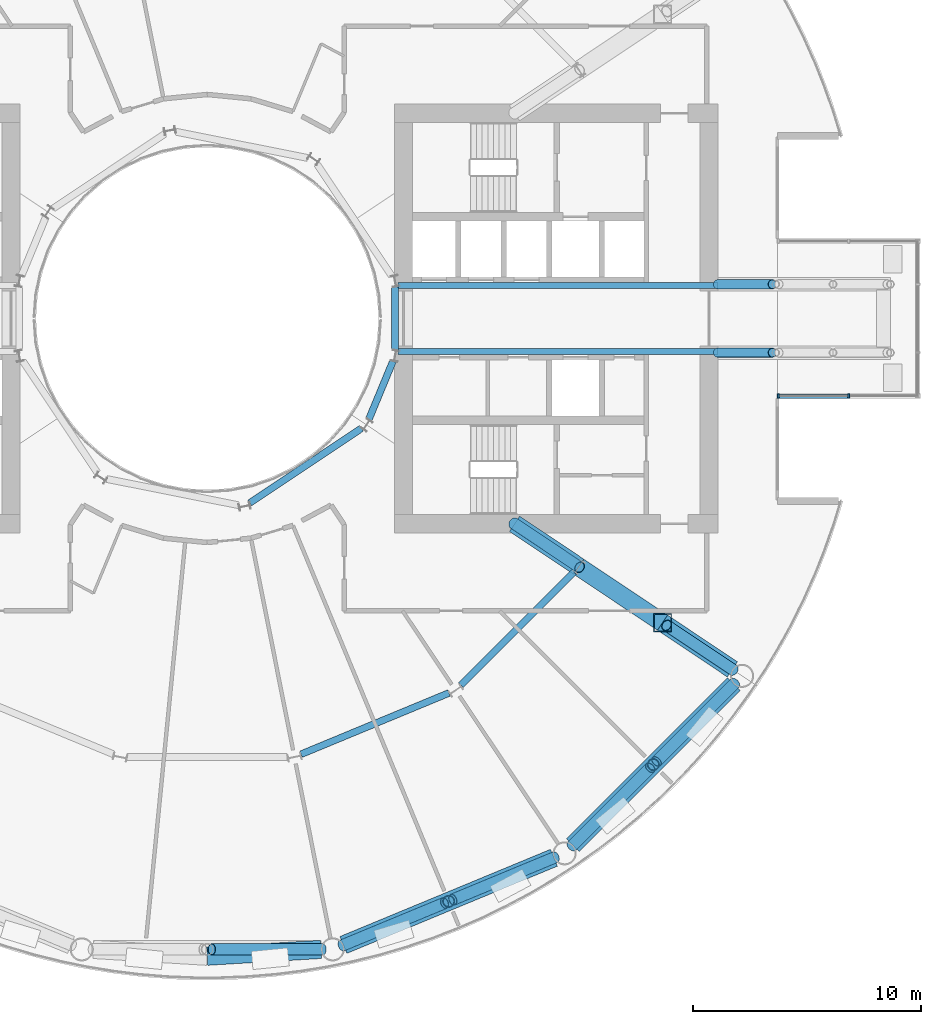
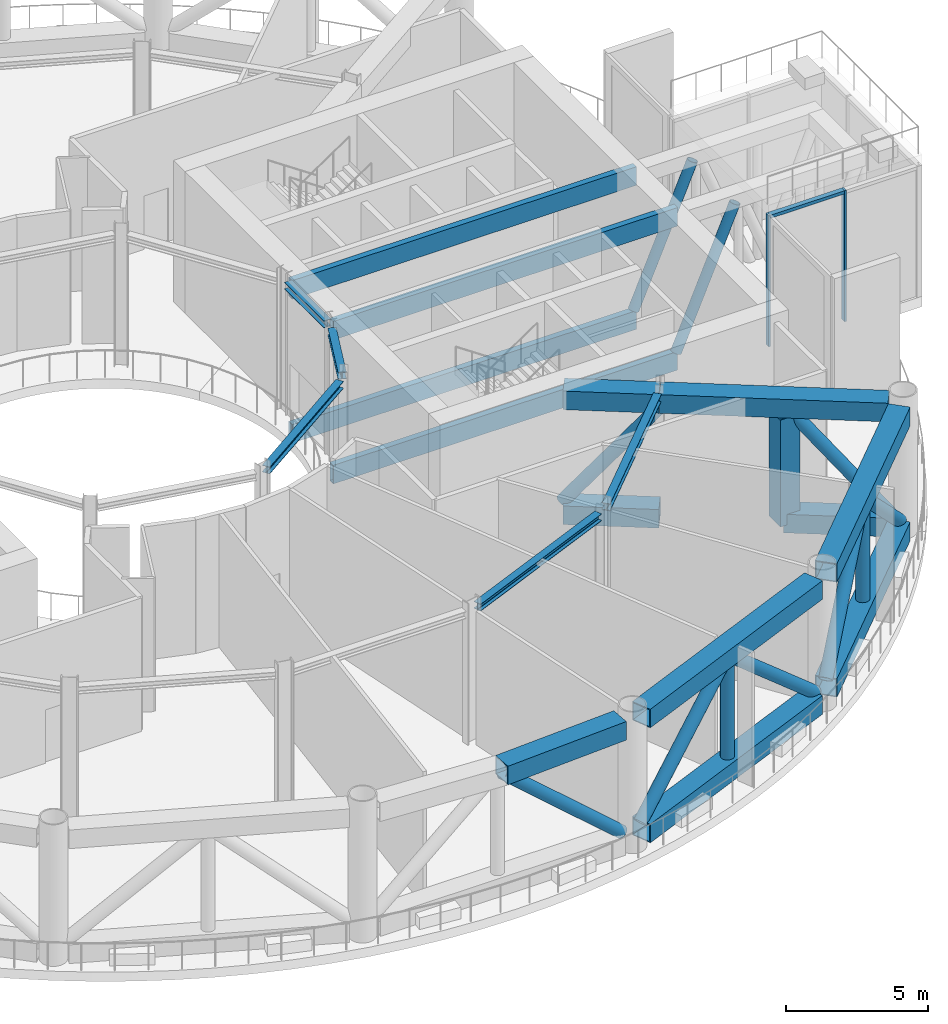
# One storey, part 6 of 22: 18 beams, 15 members, 1 element without a shape of its own.
"""IFC4 building model written with IfcOpenShell, lengths in metres."""

from ifc_helpers import new_model, si_unit, direction, frame, origin, origin_2d, place, context, subcontext, project, spatial, rectangle, hollow_rectangle, hollow_circle, i_section, extrude, material, layer, layer_set, material_profile, profile_set, type_object, element, aggregate, save


model = new_model("IFC4")

# Units and contexts
model_context = context("Model", 3, precision=1e-05, world=origin(), true_north=direction((0.0, 1.0)))
body_context = subcontext(model_context, "Body", "Model", "MODEL_VIEW")
ifc_project = project(units=[si_unit("LENGTHUNIT", "METRE"), si_unit("AREAUNIT", "SQUARE_METRE"), si_unit("VOLUMEUNIT", "CUBIC_METRE"), si_unit("PLANEANGLEUNIT", "RADIAN"), si_unit("MASSUNIT", "GRAM", prefix="KILO")], contexts=[model_context])

# Site, building, storey
site_placement = place(None, origin())
site = spatial("IfcSite", under=ifc_project, at=site_placement, CompositionType="ELEMENT")
building_placement = place(site_placement, origin())
building = spatial("IfcBuilding", under=site, at=building_placement, Name="Maasbend Ring Residences", CompositionType="ELEMENT")
storey_placement = place(building_placement, frame((0.0, 0.0, 57.5)))
storey = spatial("IfcBuildingStorey", under=building, at=storey_placement, Name="L16", CompositionType="ELEMENT", Elevation=57.5)

# Beams
ifc_material_1 = material(Name="Steel S460M", Category="steel")
ifc_material_profile_1 = material_profile(ifc_material_1, hollow_rectangle(XDim=0.800048828125, YDim=0.800048828125, WallThickness=0.0400390625, at=origin_2d()), Name="Belt truss chord BX 800x800x40")
ifc_profile_set_1 = profile_set([ifc_material_profile_1], Name="Steel S460M")
beam_type_1 = type_object("IfcBeamType", Name="Belt truss chord BX 800x800x40", PredefinedType="BEAM", material=ifc_profile_set_1)
beam_1_placement = place(storey_placement, frame((0.0, -27.9580078125, 5.35009765625), z_axis=(0.998202452092, 0.059932166976, 0.0), x_axis=(-0.059932166976, 0.998202452092, 0.0)))
element("IfcBeam", 1, at=beam_1_placement, inside=storey, type_object=beam_type_1, Name="Belt truss", PredefinedType="BEAM", context=body_context, shape_type="SweptSolid", body=[
    extrude(hollow_rectangle(XDim=0.800048828125, YDim=0.800048828125, WallThickness=0.0400390625, at=origin_2d()), origin(), (0.0, 0.0, 1.0), 5.00244140625),
])
for number, where, z_axis, x_axis, name in (
    (2, (5.970703125, -27.463623046875, 0.39990234375), (0.923886337442, 0.382667003395, 0.0), (-0.382667003395, 0.923886337442, 0.0), "Belt truss"),
    (3, (5.970703125, -27.463623046875, 5.35009765625), (0.923886337442, 0.382667003395, 0.0), (-0.382667003395, 0.923886337442, 0.0), "Belt truss"),
):
    element("IfcBeam", number, at=place(storey_placement, frame(where, z_axis=z_axis, x_axis=x_axis)), inside=storey, type_object=beam_type_1, Name=name, PredefinedType="BEAM", context=body_context, shape_type="SweptSolid", body=[
        extrude(hollow_rectangle(XDim=0.800048828125, YDim=0.800048828125, WallThickness=0.0400390625, at=origin_2d()), origin(), (0.0, 0.0, 1.0), 9.9873046875),
    ])
for number, where, z_axis, x_axis, name in (
    (4, (16.0263671875, -23.088134765625, 0.39990234375), (0.707106781187, 0.707106781187, 0.0), (-0.707106781187, 0.707106781187, 0.0), "Belt truss"),
    (5, (16.0263671875, -23.088134765625, 5.35009765625), (0.707106781187, 0.707106781187, 0.0), (-0.707106781187, 0.707106781187, 0.0), "Belt truss"),
):
    element("IfcBeam", number, at=place(storey_placement, frame(where, z_axis=z_axis, x_axis=x_axis)), inside=storey, type_object=beam_type_1, Name=name, PredefinedType="BEAM", context=body_context, shape_type="SweptSolid", body=[
        extrude(hollow_rectangle(XDim=0.800048828125, YDim=0.800048828125, WallThickness=0.0400390625, at=origin_2d()), origin(), (0.0, 0.0, 1.0), 9.98681640625),
    ])

# Members
ifc_material_2 = material(Name="Steel S460NH", Category="steel")
ifc_material_profile_2 = material_profile(ifc_material_2, hollow_circle(Radius=0.25390625, WallThickness=0.02490234375, at=origin_2d()), Name="Belt truss diagonal CHS 508x25")
ifc_profile_set_2 = profile_set([ifc_material_profile_2], Name="Steel S460NH")
member_type_1 = type_object("IfcMemberType", Name="Belt truss diagonal CHS 508x25", PredefinedType="BRACE", material=ifc_profile_set_2)
member_1_placement = place(storey_placement, frame((0.197021484375, -27.658203125, 5.0), z_axis=(0.752332835899, 0.0, -0.658783199564), x_axis=(0.0, 1.0, 0.0)))
element("IfcMember", 6, at=member_1_placement, inside=storey, type_object=member_type_1, Name="Belt truss diagonal", PredefinedType="BRACE", context=body_context, shape_type="SweptSolid", body=[
    extrude(hollow_circle(Radius=0.25390625, WallThickness=0.02490234375, at=origin_2d()), origin(), (0.0, 0.0, 1.0), 6.451171875),
])
for number, where, z_axis, x_axis, name in (
    (7, (5.918212890625, -27.485595703125, 0.75), (0.695068367071, 0.287912023557, 0.658776617519), (-0.382689421718, 0.923877051617, 0.0), "Belt truss diagonal"),
    (8, (10.76611328125, -25.477294921875, 5.0), (0.695087926756, 0.287904450499, -0.658759289469), (-0.382671638182, 0.923884417734, 0.0), "Belt truss diagonal"),
    (9, (15.98583984375, -23.128662109375, 0.75), (0.531991428585, 0.531991428585, 0.658764176185), (-0.707106781187, 0.707106781187, 0.0), "Belt truss diagonal"),
    (10, (19.696533203125, -19.41796875, 5.0), (0.531991428585, 0.531991428585, -0.658764176185), (-0.707106781187, 0.707106781187, 0.0), "Belt truss diagonal"),
):
    element("IfcMember", number, at=place(storey_placement, frame(where, z_axis=z_axis, x_axis=x_axis)), inside=storey, type_object=member_type_1, Name=name, PredefinedType="BRACE", context=body_context, shape_type="SweptSolid", body=[
        extrude(hollow_circle(Radius=0.25390625, WallThickness=0.02490234375, at=origin_2d()), origin(), (0.0, 0.0, 1.0), 6.451416015625),
    ])
ifc_material_3 = material(Name="Steel S460NH", Category="steel")
ifc_material_profile_3 = material_profile(ifc_material_3, hollow_circle(Radius=0.25390625, WallThickness=0.01611328125, at=origin_2d()), Name="Belt truss post CHS 508x16")
ifc_profile_set_3 = profile_set([ifc_material_profile_3], Name="Steel S460NH")
member_type_2 = type_object("IfcMemberType", Name="Belt truss post CHS 508x16", PredefinedType="POST", material=ifc_profile_set_3)
for number, where, z_axis, x_axis, name in (
    (11, (10.584228515625, -25.552734375, 0.800048828125), (0.0, 0.0, 1.0), (1.0, 0.0, 0.0), "Belt truss post"),
    (12, (19.55712890625, -19.55712890625, 0.800048828125), (0.0, 0.0, 1.0), (1.0, 0.0, 0.0), "Belt truss post"),
):
    element("IfcMember", number, at=place(storey_placement, frame(where, z_axis=z_axis, x_axis=x_axis)), inside=storey, type_object=member_type_2, Name=name, PredefinedType="POST", context=body_context, shape_type="SweptSolid", body=[
        extrude(hollow_circle(Radius=0.25390625, WallThickness=0.01611328125, at=origin_2d()), origin(), (0.0, 0.0, 1.0), 4.14990234375),
    ])

# Curtain wall, members
ifc_material_4 = material(Name="Aluminium and clear glass", Category="aluminium")
ifc_layer = layer(ifc_material_4, 0.199951171875)
ifc_layer_set = layer_set([ifc_layer], Name="CW-GR")
curtain_wall_type = type_object("IfcCurtainWallType", Name="CW-GR", PredefinedType="NOTDEFINED", material=ifc_layer_set)
curtain_wall_placement = place(storey_placement, origin())
curtain_wall = element("IfcCurtainWall", 13, at=curtain_wall_placement, inside=storey, type_object=curtain_wall_type, Name="Glass lounge curtain wall south", PredefinedType="NOTDEFINED")
ifc_material_5 = material(Name="Aluminium 6063-T6", Category="aluminium")
ifc_material_profile_4 = material_profile(ifc_material_5, rectangle(XDim=0.199951171875, YDim=0.070068359375, at=origin_2d()), Name="AL 200x70")
ifc_profile_set_4 = profile_set([ifc_material_profile_4], Name="Aluminium 6063-T6")
member_type_3 = type_object("IfcMemberType", Name="CWM-GR", PredefinedType="MULLION", material=ifc_profile_set_4)
member_2_placement = place(storey_placement, frame((25.034912109375, -3.39990234375, 0.0), z_axis=(0.0, 0.0, 1.0), x_axis=(0.0, 1.0, 0.0)))
member_2 = element("IfcMember", 14, at=member_2_placement, type_object=member_type_3, Name="Mullion glass room", PredefinedType="MULLION", context=body_context, shape_type="SweptSolid", body=[
    extrude(rectangle(XDim=0.199951171875, YDim=0.070068359375, at=origin_2d()), origin(), (0.0, 0.0, 1.0), 5.64990234375),
])
member_3_placement = place(storey_placement, frame((28.125, -3.39990234375, 0.0), z_axis=(0.0, 0.0, 1.0), x_axis=(0.0, 1.0, 0.0)))
member_3 = element("IfcMember", 15, at=member_3_placement, type_object=member_type_3, Name="Mullion glass room", PredefinedType="MULLION", context=body_context, shape_type="SweptSolid", body=[
    extrude(rectangle(XDim=0.199951171875, YDim=0.070068359375, at=origin_2d()), origin(), (0.0, 0.0, 1.0), 5.64990234375),
])
ifc_material_6 = material(Name="Aluminium 6063-T6", Category="aluminium")
ifc_material_profile_5 = material_profile(ifc_material_6, rectangle(XDim=0.199951171875, YDim=0.139892578125, at=origin_2d()), Name="AL 200x140")
ifc_profile_set_5 = profile_set([ifc_material_profile_5], Name="Aluminium 6063-T6")
member_type_4 = type_object("IfcMemberType", Name="CWT-GR", PredefinedType="USERDEFINED", material=ifc_profile_set_5)
member_4_placement = place(storey_placement, frame((25.070068359375, -3.39990234375, 5.580078125), z_axis=(1.0, 0.0, 0.0), x_axis=(0.0, 1.0, 0.0)))
member_4 = element("IfcMember", 16, at=member_4_placement, type_object=member_type_4, Name="Transom glass room", ObjectType="TRANSOM", PredefinedType="USERDEFINED", context=body_context, shape_type="SweptSolid", body=[
    extrude(rectangle(XDim=0.199951171875, YDim=0.139892578125, at=origin_2d()), origin(), (0.0, 0.0, 1.0), 3.02001953125),
])
aggregate(curtain_wall, [member_2, member_3, member_4])

# Beams
ifc_material_7 = material(Name="Steel S355J2", Category="steel")
ifc_material_profile_6 = material_profile(ifc_material_7, i_section(OverallWidth=0.300048828125, OverallDepth=0.300048828125, WebThickness=0.010986328125, FlangeThickness=0.01904296875, FilletRadius=0.027099609375, at=origin_2d()), Name="HEB 300")
ifc_profile_set_6 = profile_set([ifc_material_profile_6], Name="Steel S355J2")
beam_type_2 = type_object("IfcBeamType", Name="Corridor ring beam HEB 300", PredefinedType="BEAM", material=ifc_profile_set_6)
beam_2_placement = place(storey_placement, frame((4.11572265625, -19.102294921875, 5.60009765625), z_axis=(0.923886196809, 0.38266734293, 0.0), x_axis=(-0.38266734293, 0.923886196809, 0.0)))
element("IfcBeam", 17, at=beam_2_placement, inside=storey, type_object=beam_type_2, Name="Corridor ring beam", PredefinedType="BEAM", context=body_context, shape_type="SweptSolid", body=[
    extrude(i_section(OverallWidth=0.300048828125, OverallDepth=0.300048828125, WebThickness=0.010986328125, FlangeThickness=0.01904296875, FilletRadius=0.027099609375, at=origin_2d()), origin(), (0.0, 0.0, 1.0), 7.015380859375),
])
beam_3_placement = place(storey_placement, frame((11.11279296875, -16.0732421875, 5.60009765625), z_axis=(0.707106781187, 0.707106781187, 0.0), x_axis=(-0.707106781187, 0.707106781187, 0.0)))
element("IfcBeam", 18, at=beam_3_placement, inside=storey, type_object=beam_type_2, Name="Corridor ring beam", PredefinedType="BEAM", context=body_context, shape_type="SweptSolid", body=[
    extrude(i_section(OverallWidth=0.300048828125, OverallDepth=0.300048828125, WebThickness=0.010986328125, FlangeThickness=0.01904296875, FilletRadius=0.027099609375, at=origin_2d()), origin(), (0.0, 0.0, 1.0), 7.01513671875),
])
ifc_material_8 = material(Name="Steel S460M", Category="steel")
ifc_material_profile_7 = material_profile(ifc_material_8, hollow_rectangle(XDim=0.25, YDim=0.800048828125, WallThickness=0.02490234375, at=origin_2d()), Name="Glass room back-span beam BX 800x250x25")
ifc_profile_set_7 = profile_set([ifc_material_profile_7], Name="Steel S460M")
beam_type_3 = type_object("IfcBeamType", Name="Glass room back-span beam BX 800x250x25", PredefinedType="BEAM", material=ifc_profile_set_7)
for number, where, z_axis, x_axis, name in (
    (19, (22.39990234375, -1.449951171875, -0.85009765625), (-1.0, 0.0, 0.0), (0.0, -1.0, 0.0), "Glass room lower back-span beam E"),
    (20, (22.39990234375, -1.449951171875, 5.35009765625), (-1.0, 0.0, 0.0), (0.0, -1.0, 0.0), "Glass room back-span beam E"),
    (21, (22.39990234375, 1.449951171875, -0.85009765625), (-1.0, 0.0, 0.0), (0.0, -1.0, 0.0), "Glass room lower back-span beam E"),
    (22, (22.39990234375, 1.449951171875, 5.35009765625), (-1.0, 0.0, 0.0), (0.0, -1.0, 0.0), "Glass room back-span beam E"),
):
    element("IfcBeam", number, at=place(storey_placement, frame(where, z_axis=z_axis, x_axis=x_axis)), inside=storey, type_object=beam_type_3, Name=name, PredefinedType="BEAM", context=body_context, shape_type="SweptSolid", body=[
        extrude(hollow_rectangle(XDim=0.25, YDim=0.800048828125, WallThickness=0.02490234375, at=origin_2d()), origin(), (0.0, 0.0, 1.0), 14.03076171875),
    ])

# Members
ifc_material_9 = material(Name="Steel S460NH", Category="steel")
ifc_material_profile_8 = material_profile(ifc_material_9, hollow_circle(Radius=0.203125, WallThickness=0.01611328125, at=origin_2d()), Name="Glass room truss diagonal CHS 406.4x16")
ifc_profile_set_8 = profile_set([ifc_material_profile_8], Name="Steel S460NH")
member_type_5 = type_object("IfcMemberType", Name="Glass room truss diagonal CHS 406.4x16", PredefinedType="BRACE", material=ifc_profile_set_8)
for number, where, z_axis, x_axis, name in (
    (23, (22.378662109375, -1.5, -0.5), (0.393561334917, 0.0, 0.919298360522), (0.0, 1.0, 0.0), "Glass room truss E diagonal"),
    (24, (22.378662109375, 1.5, -0.5), (0.393561334917, 0.0, 0.919298360522), (0.0, 1.0, 0.0), "Glass room truss E diagonal"),
):
    element("IfcMember", number, at=place(storey_placement, frame(where, z_axis=z_axis, x_axis=x_axis)), inside=storey, type_object=member_type_5, Name=name, PredefinedType="BRACE", context=body_context, shape_type="SweptSolid", body=[
        extrude(hollow_circle(Radius=0.203125, WallThickness=0.01611328125, at=origin_2d()), origin(), (0.0, 0.0, 1.0), 6.091796875),
    ])

# Beams
ifc_material_10 = material(Name="Steel S460M", Category="steel")
ifc_material_profile_9 = material_profile(ifc_material_10, hollow_rectangle(XDim=0.800048828125, YDim=0.800048828125, WallThickness=0.0400390625, at=origin_2d()), Name="Outrigger truss chord BX 800x800x40")
ifc_profile_set_9 = profile_set([ifc_material_profile_9], Name="Steel S460M")
beam_type_4 = type_object("IfcBeamType", Name="Outrigger truss chord BX 800x800x40", PredefinedType="BEAM", material=ifc_profile_set_9)
beam_4_placement = place(storey_placement, frame((23.02490234375, -15.385009765625, 0.39990234375), z_axis=(-0.83143805452, 0.555617459676, 0.0), x_axis=(-0.555617459676, -0.83143805452, 0.0)))
element("IfcBeam", 25, at=beam_4_placement, inside=storey, type_object=beam_type_4, Name="Outrigger truss", PredefinedType="BEAM", context=body_context, shape_type="SweptSolid", body=[
    extrude(hollow_rectangle(XDim=0.800048828125, YDim=0.800048828125, WallThickness=0.0400390625, at=origin_2d()), origin(), (0.0, 0.0, 1.0), 3.68408203125),
])
beam_5_placement = place(storey_placement, frame((23.02490234375, -15.385009765625, 5.35009765625), z_axis=(-0.831450444505, 0.555598918585, 0.0), x_axis=(-0.555598918585, -0.831450444505, 0.0)))
element("IfcBeam", 26, at=beam_5_placement, inside=storey, type_object=beam_type_4, Name="Outrigger truss", PredefinedType="BEAM", context=body_context, shape_type="SweptSolid", body=[
    extrude(hollow_rectangle(XDim=0.800048828125, YDim=0.800048828125, WallThickness=0.0400390625, at=origin_2d()), origin(), (0.0, 0.0, 1.0), 8.083984375),
])
for number, where, z_axis, x_axis, name in (
    (27, (16.2900390625, -10.884765625, 0.39990234375), (-0.831451918965, 0.555596712058, 0.0), (-0.555596712058, -0.831451918965, 0.0), "Outrigger truss"),
    (28, (16.2900390625, -10.884765625, 5.35009765625), (-0.831451918965, 0.555596712058, 0.0), (-0.555596712058, -0.831451918965, 0.0), "Outrigger truss"),
):
    element("IfcBeam", number, at=place(storey_placement, frame(where, z_axis=z_axis, x_axis=x_axis)), inside=storey, type_object=beam_type_4, Name=name, PredefinedType="BEAM", context=body_context, shape_type="SweptSolid", body=[
        extrude(hollow_rectangle(XDim=0.800048828125, YDim=0.800048828125, WallThickness=0.0400390625, at=origin_2d()), origin(), (0.0, 0.0, 1.0), 3.392333984375),
    ])

# Members
ifc_material_11 = material(Name="Steel S460NH", Category="steel")
ifc_material_profile_10 = material_profile(ifc_material_11, hollow_circle(Radius=0.25390625, WallThickness=0.02490234375, at=origin_2d()), Name="Outrigger truss diagonal CHS 508x25")
ifc_profile_set_10 = profile_set([ifc_material_profile_10], Name="Steel S460NH")
member_type_6 = type_object("IfcMemberType", Name="Outrigger truss diagonal CHS 508x25", PredefinedType="BRACE", material=ifc_profile_set_10)
member_5_placement = place(storey_placement, frame((23.059326171875, -15.40771484375, 0.75), z_axis=(-0.529709832536, 0.353922150921, 0.770809058329), x_axis=(-0.55555000103, -0.83148313053, 0.0)))
element("IfcMember", 29, at=member_5_placement, inside=storey, type_object=member_type_6, Name="Outrigger truss diagonal", PredefinedType="BRACE", context=body_context, shape_type="SweptSolid", body=[
    extrude(hollow_circle(Radius=0.25390625, WallThickness=0.02490234375, at=origin_2d()), origin(), (0.0, 0.0, 1.0), 5.513671875),
])
member_6_placement = place(storey_placement, frame((16.32421875, -10.907470703125, 5.0), z_axis=(-0.526268216764, 0.351616371312, -0.774214241311), x_axis=(-0.555543133943, -0.831487718688, 0.0)))
element("IfcMember", 30, at=member_6_placement, inside=storey, type_object=member_type_6, Name="Outrigger truss diagonal", PredefinedType="BRACE", context=body_context, shape_type="SweptSolid", body=[
    extrude(hollow_circle(Radius=0.25390625, WallThickness=0.02490234375, at=origin_2d()), origin(), (0.0, 0.0, 1.0), 5.489501953125),
])
ifc_material_12 = material(Name="Steel S460M", Category="steel")
ifc_material_profile_11 = material_profile(ifc_material_12, hollow_rectangle(XDim=0.800048828125, YDim=0.800048828125, WallThickness=0.0400390625, at=origin_2d()), Name="Outrigger truss post BX 800x800x40")
ifc_profile_set_11 = profile_set([ifc_material_profile_11], Name="Steel S460M")
member_type_7 = type_object("IfcMemberType", Name="Outrigger truss post BX 800x800x40", PredefinedType="POST", material=ifc_profile_set_11)
member_7_placement = place(storey_placement, frame((19.9619140625, -13.338134765625, 0.35009765625), z_axis=(0.0, 0.0, 1.0), x_axis=(1.0, 0.0, 0.0)))
element("IfcMember", 31, at=member_7_placement, inside=storey, type_object=member_type_7, Name="Outrigger truss post", PredefinedType="POST", context=body_context, shape_type="SweptSolid", body=[
    extrude(hollow_rectangle(XDim=0.800048828125, YDim=0.800048828125, WallThickness=0.0400390625, at=origin_2d()), origin(), (0.0, 0.0, 1.0), 4.599853515625),
])

# Beams
ifc_material_13 = material(Name="Steel S355J2", Category="steel")
ifc_material_profile_12 = material_profile(ifc_material_13, i_section(OverallWidth=0.300048828125, OverallDepth=0.300048828125, WebThickness=0.010986328125, FlangeThickness=0.01904296875, FilletRadius=0.027099609375, at=origin_2d()), Name="HEB 300")
ifc_profile_set_12 = profile_set([ifc_material_profile_12], Name="Steel S355J2")
beam_type_5 = type_object("IfcBeamType", Name="Well edge beam HEB 300", PredefinedType="BEAM", material=ifc_profile_set_12)
beam_6_placement = place(storey_placement, frame((1.86376953125, -8.08837890625, 5.60009765625), z_axis=(0.831456549723, 0.555589782054, 0.0), x_axis=(-0.555589782054, 0.831456549723, 0.0)))
element("IfcBeam", 32, at=beam_6_placement, inside=storey, type_object=beam_type_5, Name="Well edge beam", PredefinedType="BEAM", context=body_context, shape_type="SweptSolid", body=[
    extrude(i_section(OverallWidth=0.300048828125, OverallDepth=0.300048828125, WebThickness=0.010986328125, FlangeThickness=0.01904296875, FilletRadius=0.027099609375, at=origin_2d()), origin(), (0.0, 0.0, 1.0), 5.887939453125),
])
beam_7_placement = place(storey_placement, frame((7.081787109375, -4.431396484375, 5.60009765625), z_axis=(0.382723119906, 0.923863092395, 0.0), x_axis=(-0.923863092395, 0.382723119906, 0.0)))
element("IfcBeam", 33, at=beam_7_placement, inside=storey, type_object=beam_type_5, Name="Well edge beam", PredefinedType="BEAM", context=body_context, shape_type="SweptSolid", body=[
    extrude(i_section(OverallWidth=0.300048828125, OverallDepth=0.300048828125, WebThickness=0.010986328125, FlangeThickness=0.01904296875, FilletRadius=0.027099609375, at=origin_2d()), origin(), (0.0, 0.0, 1.0), 2.767822265625),
])
beam_8_placement = place(storey_placement, frame((8.238525390625, -1.3837890625, 5.60009765625), z_axis=(0.0, 1.0, 0.0), x_axis=(-1.0, 0.0, 0.0)))
element("IfcBeam", 34, at=beam_8_placement, inside=storey, type_object=beam_type_5, Name="Well edge beam", PredefinedType="BEAM", context=body_context, shape_type="SweptSolid", body=[
    extrude(i_section(OverallWidth=0.300048828125, OverallDepth=0.300048828125, WebThickness=0.010986328125, FlangeThickness=0.01904296875, FilletRadius=0.027099609375, at=origin_2d()), origin(), (0.0, 0.0, 1.0), 2.767578125),
])

save(model, "model.ifc")
